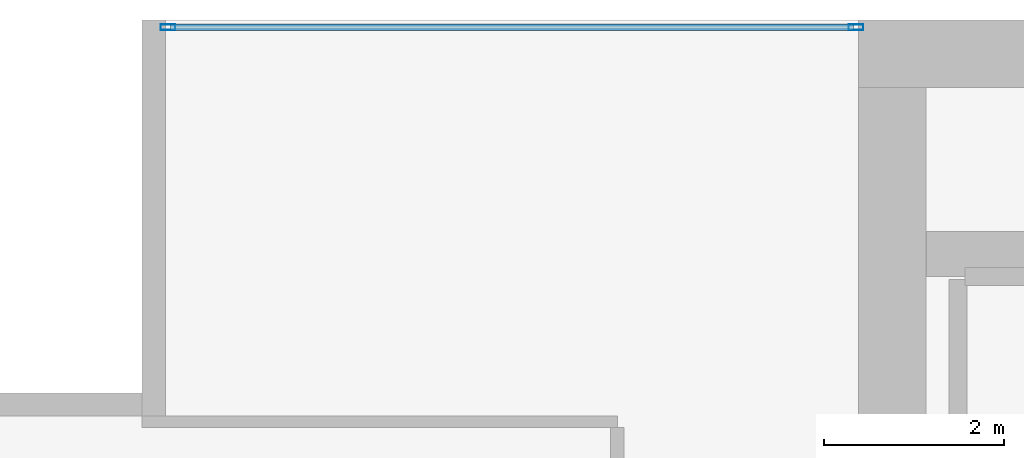
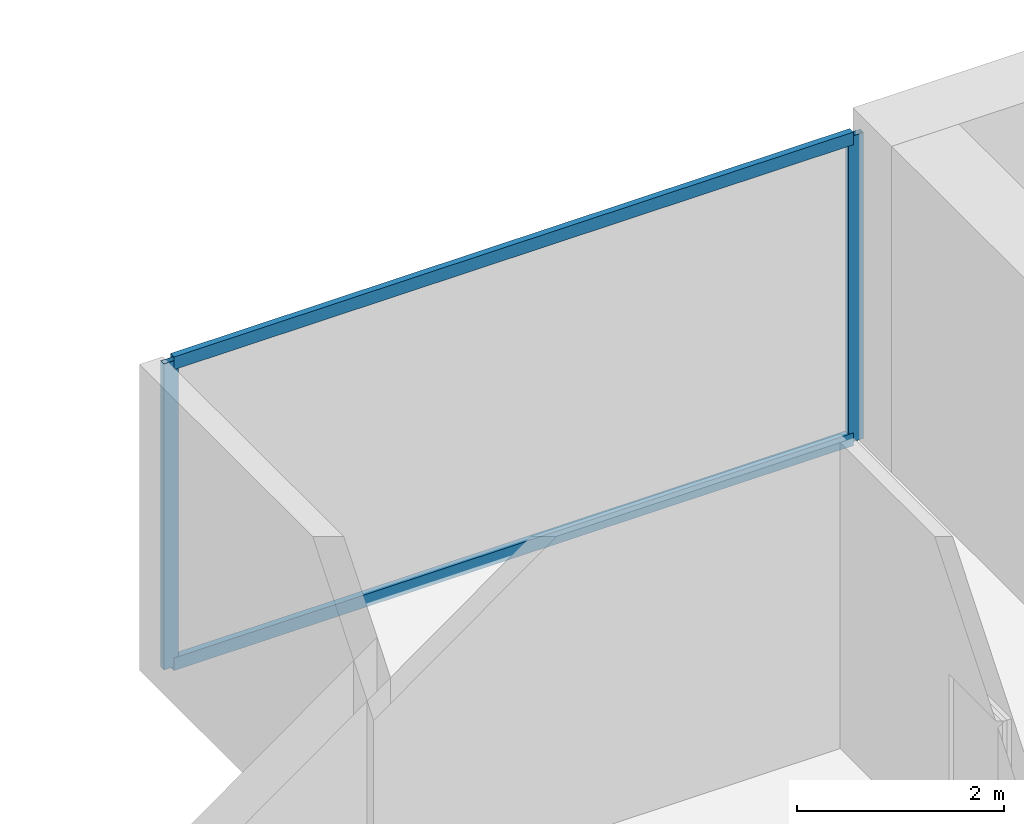
# One storey, part 22 of 34: 4 members, 1 element without a shape of its own.
"""IFC4 building model written with IfcOpenShell, lengths in metres."""

import ifcopenshell
import ifcopenshell.guid

model = None  # the IFC model being written
_history = None  # IfcOwnerHistory: only IFC2X3 demands one
_inside = {}  # id of a spatial element -> (the spatial element, [elements in it])
_under = {}  # id of a project, library or spatial element -> (it, [spatial elements below it])
_declared = {}  # id of a project -> (the project, [libraries it declares])
_typed = {}  # id of a type object -> (the type object, [elements of that type])
_made_of = {}  # id of a material, layer set ... -> (it, [elements and type objects made of it])


def new_model(schema):
    """Start an empty IFC model of exactly this schema.

    Asked for "IFC4X3", IfcOpenShell would pick the latest addendum, in which some entities
    have other attributes; the version numbers below select the first issue.
    IFC2X3 requires an IfcOwnerHistory on every rooted entity: one is made here for all.
    """
    global model, _history
    if schema == "IFC4X3":
        model = ifcopenshell.file(schema_version=(4, 3, 0, 0))
    else:
        model = ifcopenshell.file(schema=schema)
    _inside.clear()
    _under.clear()
    _declared.clear()
    _typed.clear()
    _made_of.clear()
    _history = None
    if model.schema == "IFC2X3":
        org = make("IfcOrganization", Name="unknown")
        user = make(
            "IfcPersonAndOrganization",
            ThePerson=make("IfcPerson", FamilyName="unknown"),
            TheOrganization=org,
        )
        app = make(
            "IfcApplication",
            ApplicationDeveloper=org,
            Version="unknown",
            ApplicationFullName="unknown",
            ApplicationIdentifier="unknown",
        )
        _history = make(
            "IfcOwnerHistory",
            OwningUser=user,
            OwningApplication=app,
            ChangeAction="ADDED",
            CreationDate=0,
        )
    return model


def make(cls, **values):
    """One entity of the class cls with the attributes given. An attribute that is None is left unset."""
    return model.create_entity(
        cls, **{name: value for name, value in values.items() if value is not None}
    )


def rooted(cls, **values):
    """An entity with a GlobalId (a new one), such as an element, a storey or a relation."""
    return make(cls, GlobalId=ifcopenshell.guid.new(), OwnerHistory=_history, **values)


def si_unit(unit_type, name, prefix=None):
    """IfcSIUnit, for example si_unit("LENGTHUNIT", "METRE", prefix="MILLI")."""
    return make("IfcSIUnit", UnitType=unit_type, Prefix=prefix, Name=name)


def assignment(units):
    """IfcUnitAssignment: the units of a project."""
    return None if units is None else make("IfcUnitAssignment", Units=units)


def point(xyz):
    """IfcCartesianPoint."""
    return None if xyz is None else make("IfcCartesianPoint", Coordinates=xyz)


def direction(xyz):
    """IfcDirection."""
    return None if xyz is None else make("IfcDirection", DirectionRatios=xyz)


def frame(location, z_axis=None, x_axis=None):
    """IfcAxis2Placement3D, a coordinate frame: its origin and axes. An axis left out is left unset."""
    return make(
        "IfcAxis2Placement3D",
        Location=point(location),
        Axis=direction(z_axis),
        RefDirection=direction(x_axis),
    )


def frame_2d(location, x_axis=None):
    """IfcAxis2Placement2D, a coordinate frame in the plane: its origin and x axis."""
    return make(
        "IfcAxis2Placement2D", Location=point(location), RefDirection=direction(x_axis)
    )


def origin():
    """The frame at (0, 0, 0) with its axes left unset."""
    return frame((0.0, 0.0, 0.0))


def origin_2d():
    """The frame at (0, 0) in the plane with its x axis left unset."""
    return frame_2d((0.0, 0.0))


def place(relative_to, where):
    """IfcLocalPlacement: puts the frame where relative to a parent placement (None: the world)."""
    return make(
        "IfcLocalPlacement", PlacementRelTo=relative_to, RelativePlacement=where
    )


def context(
    kind, dimensions, precision=None, world=None, true_north=None, identifier=None
):
    """IfcGeometricRepresentationContext, for example the 3D "Model" context."""
    return make(
        "IfcGeometricRepresentationContext",
        ContextIdentifier=identifier,
        ContextType=kind,
        CoordinateSpaceDimension=dimensions,
        Precision=precision,
        WorldCoordinateSystem=world,
        TrueNorth=true_north,
    )


def subcontext(parent, identifier, kind, view, scale=None):
    """IfcGeometricRepresentationSubContext, for example "Body" below "Model"."""
    return make(
        "IfcGeometricRepresentationSubContext",
        ContextIdentifier=identifier,
        ContextType=kind,
        ParentContext=parent,
        TargetScale=scale,
        TargetView=view,
    )


def project(units=None, contexts=None):
    """IfcProject with its units and contexts."""
    return rooted(
        "IfcProject",
        Name="project",
        RepresentationContexts=contexts,
        UnitsInContext=assignment(units),
    )


def spatial(cls, under=None, at=None, **own):
    """A site, building, storey or space (cls), placed at a placement, below another one or the project."""
    s = rooted(cls, ObjectPlacement=at, **own)
    if under is not None:
        _under.setdefault(under.id(), (under, []))[1].append(s)
    return s


def profile(cls, at=None, kind="AREA", **sizes):
    """A parametric profile (cls). Its sizes go by their IFC names, for example OverallWidth=200.0."""
    return make(cls, ProfileType=kind, Position=at, **sizes)


def hollow_rectangle(**sizes):
    """IfcRectangleHollowProfileDef."""
    return profile("IfcRectangleHollowProfileDef", **sizes)


def extrude(swept, where, along, depth):
    """IfcExtrudedAreaSolid: the profile swept, set in the frame where, extruded along a direction by depth."""
    return make(
        "IfcExtrudedAreaSolid",
        SweptArea=swept,
        Position=where,
        ExtrudedDirection=direction(along),
        Depth=depth,
    )


def shape(context_of_items, identifier, shape_type, items):
    """IfcShapeRepresentation: the items that make up one representation, for example the "Body"."""
    return make(
        "IfcShapeRepresentation",
        ContextOfItems=context_of_items,
        RepresentationIdentifier=identifier,
        RepresentationType=shape_type,
        Items=items,
    )


def material(Name=None, Category=None):
    """IfcMaterial."""
    return make("IfcMaterial", Name=Name, Category=Category)


def layer(
    of_material, thickness, ventilated=None, Name=None, Category=None, Priority=None
):
    """IfcMaterialLayer: one layer of a wall or slab, of a material (None: an air gap)."""
    return make(
        "IfcMaterialLayer",
        Material=of_material,
        LayerThickness=thickness,
        IsVentilated=ventilated,
        Name=Name,
        Category=Category,
        Priority=Priority,
    )


def layer_set(layers, Name=None):
    """IfcMaterialLayerSet."""
    return make("IfcMaterialLayerSet", MaterialLayers=layers, LayerSetName=Name)


def material_profile(
    of_material, cross_section, Name=None, Category=None, Priority=None
):
    """IfcMaterialProfile: a cross section and its material."""
    return make(
        "IfcMaterialProfile",
        Name=Name,
        Material=of_material,
        Profile=cross_section,
        Priority=Priority,
        Category=Category,
    )


def profile_set(profiles, Name=None, composite=None):
    """IfcMaterialProfileSet."""
    return make(
        "IfcMaterialProfileSet",
        Name=Name,
        MaterialProfiles=profiles,
        CompositeProfile=composite,
    )


def made_of(thing, what):
    """Note that an element or type object is made of a material, layer set ...; save() writes the relation."""
    if what is not None:
        _made_of.setdefault(what.id(), (what, []))[1].append(thing)
    return thing


def type_object(cls, material=None, **own):
    """A type object (cls), such as IfcWallType, which elements share."""
    return made_of(rooted(cls, **own), material)


def element(
    cls,
    number,
    at=None,
    inside=None,
    cuts=None,
    type_object=None,
    material=None,
    context=None,
    identifier="Body",
    shape_type=None,
    held_by="IfcProductDefinitionShape",
    body=None,
    shapes=None,
    **own,
):
    """One element of the class cls, such as IfcWall. Its Tag is "e" and its number.

    at: its placement. inside: the storey or other place that contains it. cuts: it is an
    opening in that element (IfcRelVoidsElement). A single representation is given by context,
    identifier, shape_type and body (its items); several are given by shapes. held_by: the class
    of the entity that holds the representations. save() writes the other relations.
    """
    e = rooted(cls, Tag="e%d" % number, ObjectPlacement=at, **own)
    if body is not None:
        shapes = [shape(context, identifier, shape_type, body)]
    if shapes is not None:
        e.Representation = make(held_by, Representations=shapes)
    if inside is not None:
        _inside.setdefault(inside.id(), (inside, []))[1].append(e)
    if cuts is not None:
        rooted(
            "IfcRelVoidsElement", RelatingBuildingElement=cuts, RelatedOpeningElement=e
        )
    if type_object is not None:
        _typed.setdefault(type_object.id(), (type_object, []))[1].append(e)
    return made_of(e, material)


def aggregate(whole, parts):
    """IfcRelAggregates: a whole, such as a stair, and the parts it consists of."""
    return rooted("IfcRelAggregates", RelatingObject=whole, RelatedObjects=parts)


def save(model, path):
    """Write the relations noted so far, then the file.

    IfcRelAggregates (storeys below a building ...), IfcRelContainedInSpatialStructure (elements
    in a storey), IfcRelDefinesByType, IfcRelAssociatesMaterial and IfcRelDeclares: one each for
    every whole, place, type object, material and project.
    """
    for whole, parts in _under.values():
        aggregate(whole, parts)
    for where, things in _inside.values():
        rooted(
            "IfcRelContainedInSpatialStructure",
            RelatedElements=things,
            RelatingStructure=where,
        )
    for kind, things in _typed.values():
        rooted("IfcRelDefinesByType", RelatedObjects=things, RelatingType=kind)
    for what, things in _made_of.values():
        rooted("IfcRelAssociatesMaterial", RelatedObjects=things, RelatingMaterial=what)
    for by, libraries in _declared.values():
        rooted("IfcRelDeclares", RelatingContext=by, RelatedDefinitions=libraries)
    model.write(path)


model = new_model("IFC4")

# Units and contexts
model_context = context("Model", 3, precision=1e-05, world=origin(), true_north=direction((0.0, 1.0)))
body_context = subcontext(model_context, "Body", "Model", "MODEL_VIEW")
ifc_project = project(units=[si_unit("LENGTHUNIT", "METRE"), si_unit("AREAUNIT", "SQUARE_METRE"), si_unit("VOLUMEUNIT", "CUBIC_METRE"), si_unit("PLANEANGLEUNIT", "RADIAN"), si_unit("MASSUNIT", "GRAM", prefix="KILO")], contexts=[model_context])

# Site, building, storey
site_placement = place(None, origin())
site = spatial("IfcSite", under=ifc_project, at=site_placement, CompositionType="ELEMENT")
building_placement = place(site_placement, origin())
building = spatial("IfcBuilding", under=site, at=building_placement, Name="Maruvema Waterfront Hotel and Observation Tower", CompositionType="ELEMENT")
storey_placement = place(building_placement, frame((0.0, 0.0, 189.0)))
storey = spatial("IfcBuildingStorey", under=building, at=storey_placement, Name="L46", CompositionType="ELEMENT", Elevation=189.0)

# Curtain wall, members
ifc_material_1 = material(Name="Anodised bronze aluminium and solar-control low-E IGU", Category="aluminium")
ifc_layer = layer(ifc_material_1, 0.159912109375, Name="Zone 2 Amber Inner Thermal Curtain Wall System CW-03")
ifc_layer_set = layer_set([ifc_layer], Name="Anodised bronze aluminium and solar-control low-E IGU")
curtain_wall_type = type_object("IfcCurtainWallType", Name="Zone 2 Amber Inner Thermal Curtain Wall System CW-03", PredefinedType="USERDEFINED", material=ifc_layer_set)
curtain_wall_placement = place(storey_placement, origin())
curtain_wall = element("IfcCurtainWall", 1, at=curtain_wall_placement, inside=storey, type_object=curtain_wall_type, Name="L46 Curtain Wall CW-L46-NW", ObjectType="UNITISED CURTAIN WALL", PredefinedType="USERDEFINED")
ifc_material_2 = material(Name="Anodised architectural bronze aluminium", Category="aluminium")
ifc_material_profile_1 = material_profile(ifc_material_2, hollow_rectangle(XDim=0.070068359375, YDim=0.14990234375, WallThickness=0.00390625, at=origin_2d()), Name="ALU-T70x150")
ifc_profile_set_1 = profile_set([ifc_material_profile_1], Name="Anodised architectural bronze aluminium")
member_type_1 = type_object("IfcMemberType", Name="Curtain Wall Horizontal Transom ALU-T70x150", PredefinedType="USERDEFINED", material=ifc_profile_set_1)
member_1_placement = place(storey_placement, frame((25.139892578125, 53.919921875, 0.030029296875), z_axis=(-1.0, 0.0, 0.0), x_axis=(0.0, -1.0, 0.0)))
member_1 = element("IfcMember", 2, at=member_1_placement, type_object=member_type_1, Name="CW-03 transom 1.1", ObjectType="TRANSOM", PredefinedType="USERDEFINED", context=body_context, shape_type="SweptSolid", body=[
    extrude(hollow_rectangle(XDim=0.070068359375, YDim=0.14990234375, WallThickness=0.00390625, at=origin_2d()), origin(), (0.0, 0.0, 1.0), 7.579833984375),
])
member_2_placement = place(storey_placement, frame((25.139892578125, 53.919921875, 3.580078125), z_axis=(-1.0, 0.0, 0.0), x_axis=(0.0, -1.0, 0.0)))
member_2 = element("IfcMember", 3, at=member_2_placement, type_object=member_type_1, Name="CW-03 transom 1.2", ObjectType="TRANSOM", PredefinedType="USERDEFINED", context=body_context, shape_type="SweptSolid", body=[
    extrude(hollow_rectangle(XDim=0.070068359375, YDim=0.14990234375, WallThickness=0.00390625, at=origin_2d()), origin(), (0.0, 0.0, 1.0), 7.579833984375),
])
ifc_material_3 = material(Name="Anodised architectural bronze aluminium", Category="aluminium")
ifc_material_profile_2 = material_profile(ifc_material_3, hollow_rectangle(XDim=0.06494140625, YDim=0.1650390625, WallThickness=0.00390625, at=origin_2d()), Name="ALU-M65x165")
ifc_profile_set_2 = profile_set([ifc_material_profile_2], Name="Anodised architectural bronze aluminium")
member_type_2 = type_object("IfcMemberType", Name="Curtain Wall Primary Mullion ALU-M65x165", PredefinedType="MULLION", material=ifc_profile_set_2)
member_3_placement = place(storey_placement, frame((25.169921875, 53.919921875, 0.0), z_axis=(0.0, 0.0, 1.0), x_axis=(0.0, -1.0, 0.0)))
member_3 = element("IfcMember", 4, at=member_3_placement, type_object=member_type_2, Name="CW-03 mullion 1", PredefinedType="MULLION", context=body_context, shape_type="SweptSolid", body=[
    extrude(hollow_rectangle(XDim=0.06494140625, YDim=0.1650390625, WallThickness=0.00390625, at=origin_2d()), origin(), (0.0, 0.0, 1.0), 3.610107421875),
])
member_4_placement = place(storey_placement, frame((17.530029296875, 53.919921875, 0.0), z_axis=(0.0, 0.0, 1.0), x_axis=(0.0, -1.0, 0.0)))
member_4 = element("IfcMember", 5, at=member_4_placement, type_object=member_type_2, Name="CW-03 mullion 2", PredefinedType="MULLION", context=body_context, shape_type="SweptSolid", body=[
    extrude(hollow_rectangle(XDim=0.06494140625, YDim=0.1650390625, WallThickness=0.00390625, at=origin_2d()), origin(), (0.0, 0.0, 1.0), 3.610107421875),
])
aggregate(curtain_wall, [member_3, member_4, member_1, member_2])

save(model, "model.ifc")
